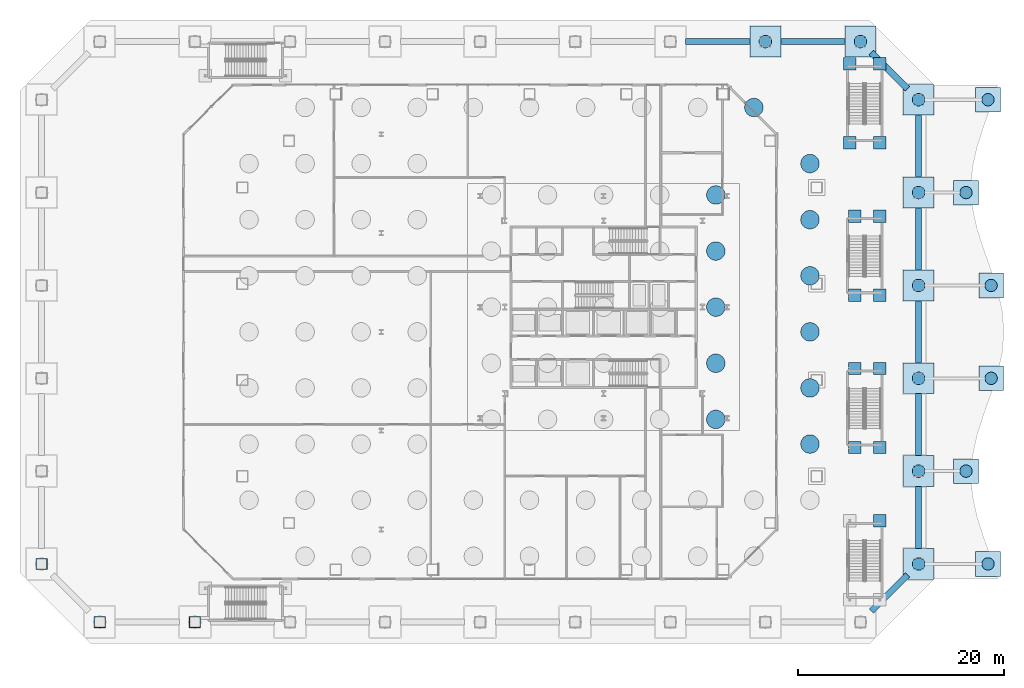
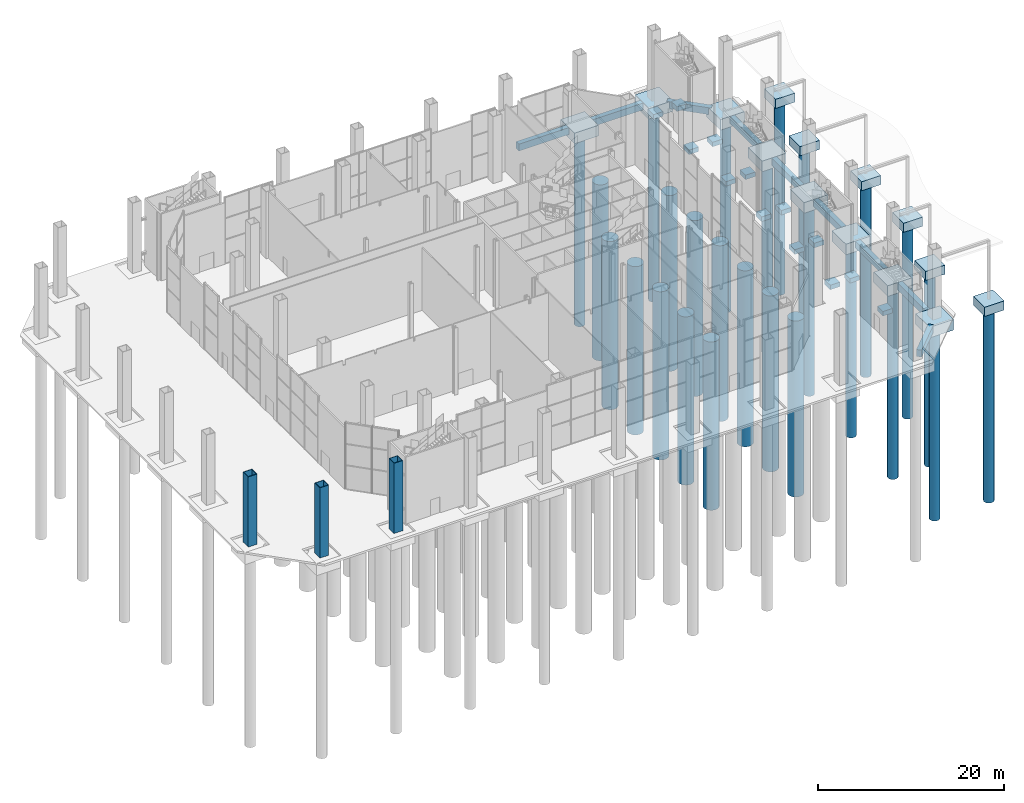
# One storey, part 2 of 38: 36 footings, 26 piles, 3 columns.
"""IFC4 building model written with IfcOpenShell, lengths in metres."""

from ifc_helpers import new_model, si_unit, direction, frame, origin, origin_2d, place, context, subcontext, project, spatial, rectangle, hollow_rectangle, circle, extrude, material, material_profile, profile_set, type_object, element, save


model = new_model("IFC4")

# Units and contexts
model_context = context("Model", 3, precision=1e-05, world=origin(), true_north=direction((0.0, 1.0)))
body_context = subcontext(model_context, "Body", "Model", "MODEL_VIEW")
ifc_project = project(units=[si_unit("LENGTHUNIT", "METRE"), si_unit("AREAUNIT", "SQUARE_METRE"), si_unit("VOLUMEUNIT", "CUBIC_METRE"), si_unit("PLANEANGLEUNIT", "RADIAN"), si_unit("MASSUNIT", "GRAM", prefix="KILO")], contexts=[model_context])

# Site, building, storey
site_placement = place(None, origin())
site = spatial("IfcSite", under=ifc_project, at=site_placement, CompositionType="ELEMENT")
building_placement = place(site_placement, origin())
building = spatial("IfcBuilding", under=site, at=building_placement, Name="Cairn Pilgrim Tower", CompositionType="ELEMENT")
storey_placement = place(building_placement, origin())
storey = spatial("IfcBuildingStorey", under=building, at=storey_placement, Name="L00", CompositionType="ELEMENT", Elevation=0.0)

# Footings
ifc_material_1 = material(Name="Concrete C40/50", Category="concrete")
footing_type_1 = type_object("IfcFootingType", Name="GROUND BEAM 600x900", PredefinedType="FOOTING_BEAM", material=ifc_material_1)
footing_1_placement = place(storey_placement, frame((34.9755859375, -25.375732421875, -1.14990234375), z_axis=(0.0, 0.0, 1.0), x_axis=(0.707106781187, 0.707106781187, 0.0)))
element("IfcFooting", 1, at=footing_1_placement, inside=storey, type_object=footing_type_1, Name="GROUND BEAM GB-SE1", PredefinedType="FOOTING_BEAM", context=body_context, shape_type="SweptSolid", body=[
    extrude(rectangle(XDim=4.98828125, YDim=0.60009765625, at=origin_2d()), origin(), (0.0, 0.0, 1.0), 0.89990234375),
])
for number, where, z_axis, x_axis, name in (
    (2, (37.800048828125, -18.041259765625, -1.14990234375), (0.0, 0.0, 1.0), (0.0, 1.0, 0.0), "GROUND BEAM GB-E1"),
    (3, (37.800048828125, -9.0205078125, -1.14990234375), (0.0, 0.0, 1.0), (0.0, 1.0, 0.0), "GROUND BEAM GB-E2"),
    (4, (37.800048828125, 0.0, -1.14990234375), (0.0, 0.0, 1.0), (0.0, 1.0, 0.0), "GROUND BEAM GB-E3"),
    (5, (37.800048828125, 9.0205078125, -1.14990234375), (0.0, 0.0, 1.0), (0.0, 1.0, 0.0), "GROUND BEAM GB-E4"),
    (6, (37.800048828125, 18.041259765625, -1.14990234375), (0.0, 0.0, 1.0), (0.0, 1.0, 0.0), "GROUND BEAM GB-E5"),
):
    element("IfcFooting", number, at=place(storey_placement, frame(where, z_axis=z_axis, x_axis=x_axis)), inside=storey, type_object=footing_type_1, Name=name, PredefinedType="FOOTING_BEAM", context=body_context, shape_type="SweptSolid", body=[
        extrude(rectangle(XDim=6.0205078125, YDim=0.60009765625, at=origin_2d()), origin(), (0.0, 0.0, 1.0), 0.89990234375),
    ])
footing_2_placement = place(storey_placement, frame((34.9755859375, 25.375732421875, -1.14990234375), z_axis=(0.0, 0.0, 1.0), x_axis=(-0.707106781187, 0.707106781187, 0.0)))
element("IfcFooting", 7, at=footing_2_placement, inside=storey, type_object=footing_type_1, Name="GROUND BEAM GB-NE1", PredefinedType="FOOTING_BEAM", context=body_context, shape_type="SweptSolid", body=[
    extrude(rectangle(XDim=4.98828125, YDim=0.60009765625, at=origin_2d()), origin(), (0.0, 0.0, 1.0), 0.89990234375),
])
for number, where, z_axis, x_axis, name in (
    (8, (27.532470703125, 28.199951171875, -1.14990234375), (0.0, 0.0, 1.0), (-1.0, 0.0, 0.0), "GROUND BEAM GB-N1"),
    (9, (18.294677734375, 28.199951171875, -1.14990234375), (0.0, 0.0, 1.0), (-1.0, 0.0, 0.0), "GROUND BEAM GB-N2"),
):
    element("IfcFooting", number, at=place(storey_placement, frame(where, z_axis=z_axis, x_axis=x_axis)), inside=storey, type_object=footing_type_1, Name=name, PredefinedType="FOOTING_BEAM", context=body_context, shape_type="SweptSolid", body=[
        extrude(rectangle(XDim=6.23779296875, YDim=0.60009765625, at=origin_2d()), origin(), (0.0, 0.0, 1.0), 0.89990234375),
    ])
ifc_material_2 = material(Name="Concrete C45/55", Category="concrete")
footing_type_2 = type_object("IfcFootingType", Name="MARQUISE PILE CAP 2400x2400x1200", PredefinedType="PILE_CAP", material=ifc_material_2)
for number, where, z_axis, x_axis, name in (
    (10, (44.5458984375, -22.551513671875, -1.4501953125), (0.0, 0.0, 1.0), (1.0, 0.0, 0.0), "MARQUISE PILE CAP E1"),
    (11, (42.408935546875, -13.531005859375, -1.4501953125), (0.0, 0.0, 1.0), (1.0, 0.0, 0.0), "MARQUISE PILE CAP E2"),
    (12, (44.84814453125, -4.51025390625, -1.4501953125), (0.0, 0.0, 1.0), (1.0, 0.0, 0.0), "MARQUISE PILE CAP E3"),
    (13, (44.84814453125, 4.51025390625, -1.4501953125), (0.0, 0.0, 1.0), (1.0, 0.0, 0.0), "MARQUISE PILE CAP E4"),
    (14, (42.408935546875, 13.531005859375, -1.4501953125), (0.0, 0.0, 1.0), (1.0, 0.0, 0.0), "MARQUISE PILE CAP E5"),
    (15, (44.5458984375, 22.551513671875, -1.4501953125), (0.0, 0.0, 1.0), (1.0, 0.0, 0.0), "MARQUISE PILE CAP NE1"),
):
    element("IfcFooting", number, at=place(storey_placement, frame(where, z_axis=z_axis, x_axis=x_axis)), inside=storey, type_object=footing_type_2, Name=name, PredefinedType="PILE_CAP", context=body_context, shape_type="SweptSolid", body=[
        extrude(rectangle(XDim=2.39990234375, YDim=2.39990234375, at=origin_2d()), origin(), (0.0, 0.0, 1.0), 1.199951171875),
    ])
footing_type_3 = type_object("IfcFootingType", Name="PAD 1200x1200x600", PredefinedType="PAD_FOOTING", material=ifc_material_1)
for number, where, z_axis, x_axis, name in (
    (16, (34.044921875, -18.360107421875, -0.85009765625), (0.0, 0.0, 1.0), (1.0, 0.0, 0.0), "PAD PAD-ES1-NB"),
    (17, (31.60009765625, -3.56005859375, -0.85009765625), (0.0, 0.0, 1.0), (1.0, 0.0, 0.0), "PAD PAD-ES2-NA"),
    (18, (34.044921875, -3.56005859375, -0.85009765625), (0.0, 0.0, 1.0), (1.0, 0.0, 0.0), "PAD PAD-ES2-NB"),
    (19, (31.60009765625, -11.239990234375, -0.85009765625), (0.0, 0.0, 1.0), (1.0, 0.0, 0.0), "PAD PAD-ES2-SA"),
    (20, (34.044921875, -11.239990234375, -0.85009765625), (0.0, 0.0, 1.0), (1.0, 0.0, 0.0), "PAD PAD-ES2-SB"),
    (21, (31.60009765625, 11.239990234375, -0.85009765625), (0.0, 0.0, 1.0), (1.0, 0.0, 0.0), "PAD PAD-ES3-NA"),
    (22, (34.044921875, 11.239990234375, -0.85009765625), (0.0, 0.0, 1.0), (1.0, 0.0, 0.0), "PAD PAD-ES3-NB"),
    (23, (31.60009765625, 3.56005859375, -0.85009765625), (0.0, 0.0, 1.0), (1.0, 0.0, 0.0), "PAD PAD-ES3-SA"),
    (24, (34.044921875, 3.56005859375, -0.85009765625), (0.0, 0.0, 1.0), (1.0, 0.0, 0.0), "PAD PAD-ES3-SB"),
    (25, (31.10498046875, 26.0400390625, -0.85009765625), (0.0, 0.0, 1.0), (1.0, 0.0, 0.0), "PAD PAD-ES4-NA"),
    (26, (34.044921875, 26.0400390625, -0.85009765625), (0.0, 0.0, 1.0), (1.0, 0.0, 0.0), "PAD PAD-ES4-NB"),
    (27, (31.10498046875, 18.360107421875, -0.85009765625), (0.0, 0.0, 1.0), (1.0, 0.0, 0.0), "PAD PAD-ES4-SA"),
    (28, (34.044921875, 18.360107421875, -0.85009765625), (0.0, 0.0, 1.0), (1.0, 0.0, 0.0), "PAD PAD-ES4-SB"),
):
    element("IfcFooting", number, at=place(storey_placement, frame(where, z_axis=z_axis, x_axis=x_axis)), inside=storey, type_object=footing_type_3, Name=name, PredefinedType="PAD_FOOTING", context=body_context, shape_type="SweptSolid", body=[
        extrude(rectangle(XDim=1.199951171875, YDim=1.199951171875, at=origin_2d()), origin(), (0.0, 0.0, 1.0), 0.60009765625),
    ])

# Piles
ifc_material_3 = material(Name="Concrete C35/45", Category="concrete")
ifc_material_profile_1 = material_profile(ifc_material_3, circle(Radius=0.60009765625, at=origin_2d()), Name="D1200")
ifc_profile_set_1 = profile_set([ifc_material_profile_1], Name="Concrete C35/45")
pile_type_1 = type_object("IfcPileType", Name="PILE BORED D1200", PredefinedType="BORED", material=ifc_profile_set_1)
for number, where, z_axis, x_axis, name in (
    (29, (37.800048828125, -22.551513671875, -1.5), (0.0, 0.0, -1.0), (1.0, 0.0, 0.0), "PILE P2-E1"),
    (30, (37.800048828125, -13.531005859375, -1.5), (0.0, 0.0, -1.0), (1.0, 0.0, 0.0), "PILE P2-E2"),
    (31, (37.800048828125, -4.51025390625, -1.5), (0.0, 0.0, -1.0), (1.0, 0.0, 0.0), "PILE P2-E3"),
    (32, (37.800048828125, 4.51025390625, -1.5), (0.0, 0.0, -1.0), (1.0, 0.0, 0.0), "PILE P2-E4"),
    (33, (37.800048828125, 13.531005859375, -1.5), (0.0, 0.0, -1.0), (1.0, 0.0, 0.0), "PILE P2-E5"),
    (34, (37.800048828125, 22.551513671875, -1.5), (0.0, 0.0, -1.0), (1.0, 0.0, 0.0), "PILE P2-NE1"),
    (35, (32.151611328125, 28.199951171875, -1.5), (0.0, 0.0, -1.0), (1.0, 0.0, 0.0), "PILE P2-N1"),
    (36, (22.91357421875, 28.199951171875, -1.5), (0.0, 0.0, -1.0), (1.0, 0.0, 0.0), "PILE P2-N2"),
):
    element("IfcPile", number, at=place(storey_placement, frame(where, z_axis=z_axis, x_axis=x_axis)), inside=storey, type_object=pile_type_1, Name=name, PredefinedType="BORED", context=body_context, shape_type="SweptSolid", body=[
        extrude(circle(Radius=0.60009765625, at=origin_2d()), origin(), (0.0, 0.0, 1.0), 25.25),
    ])
ifc_material_profile_2 = material_profile(ifc_material_3, circle(Radius=0.60009765625, at=origin_2d()), Name="D1200")
ifc_profile_set_2 = profile_set([ifc_material_profile_2], Name="Concrete C35/45")
pile_type_2 = type_object("IfcPileType", Name="PILE BORED D1200 MARQUISE", PredefinedType="BORED", material=ifc_profile_set_2)
for number, where, z_axis, x_axis, name in (
    (37, (44.5458984375, -22.551513671875, -1.300048828125), (0.0, 0.0, -1.0), (1.0, 0.0, 0.0), "PILE P4-MQ-E1"),
    (38, (42.408935546875, -13.531005859375, -1.300048828125), (0.0, 0.0, -1.0), (1.0, 0.0, 0.0), "PILE P4-MQ-E2"),
    (39, (44.84814453125, -4.51025390625, -1.300048828125), (0.0, 0.0, -1.0), (1.0, 0.0, 0.0), "PILE P4-MQ-E3"),
    (40, (44.84814453125, 4.51025390625, -1.300048828125), (0.0, 0.0, -1.0), (1.0, 0.0, 0.0), "PILE P4-MQ-E4"),
    (41, (42.408935546875, 13.531005859375, -1.300048828125), (0.0, 0.0, -1.0), (1.0, 0.0, 0.0), "PILE P4-MQ-E5"),
    (42, (44.5458984375, 22.551513671875, -1.300048828125), (0.0, 0.0, -1.0), (1.0, 0.0, 0.0), "PILE P4-MQ-NE1"),
):
    element("IfcPile", number, at=place(storey_placement, frame(where, z_axis=z_axis, x_axis=x_axis)), inside=storey, type_object=pile_type_2, Name=name, PredefinedType="BORED", context=body_context, shape_type="SweptSolid", body=[
        extrude(circle(Radius=0.60009765625, at=origin_2d()), origin(), (0.0, 0.0, 1.0), 25.449951171875),
    ])
ifc_material_profile_3 = material_profile(ifc_material_3, circle(Radius=0.89990234375, at=origin_2d()), Name="D1800")
ifc_profile_set_3 = profile_set([ifc_material_profile_3], Name="Concrete C35/45")
pile_type_3 = type_object("IfcPileType", Name="PILE BORED D1800", PredefinedType="BORED", material=ifc_profile_set_3)
for number, where, z_axis, x_axis, name in (
    (43, (27.25, -10.89990234375, -3.60009765625), (0.0, 0.0, -1.0), (1.0, 0.0, 0.0), "PILE P1-025"),
    (44, (27.25, -5.449951171875, -3.60009765625), (0.0, 0.0, -1.0), (1.0, 0.0, 0.0), "PILE P1-030"),
    (45, (27.25, 0.0, -3.60009765625), (0.0, 0.0, -1.0), (1.0, 0.0, 0.0), "PILE P1-035"),
    (46, (27.25, 5.449951171875, -3.60009765625), (0.0, 0.0, -1.0), (1.0, 0.0, 0.0), "PILE P1-040"),
    (47, (27.25, 10.89990234375, -3.60009765625), (0.0, 0.0, -1.0), (1.0, 0.0, 0.0), "PILE P1-045"),
    (48, (27.25, 16.35009765625, -3.60009765625), (0.0, 0.0, -1.0), (1.0, 0.0, 0.0), "PILE P1-050"),
    (49, (21.800048828125, 21.800048828125, -3.60009765625), (0.0, 0.0, -1.0), (1.0, 0.0, 0.0), "PILE P1-059"),
):
    element("IfcPile", number, at=place(storey_placement, frame(where, z_axis=z_axis, x_axis=x_axis)), inside=storey, type_object=pile_type_3, Name=name, PredefinedType="BORED", context=body_context, shape_type="SweptSolid", body=[
        extrude(circle(Radius=0.89990234375, at=origin_2d()), origin(), (0.0, 0.0, 1.0), 23.14990234375),
    ])
ifc_material_profile_4 = material_profile(ifc_material_3, circle(Radius=0.89990234375, at=origin_2d()), Name="D1800")
ifc_profile_set_4 = profile_set([ifc_material_profile_4], Name="Concrete C35/45")
pile_type_4 = type_object("IfcPileType", Name="PILE BORED D1800 CORE", PredefinedType="BORED", material=ifc_profile_set_4)
for number, where, z_axis, x_axis, name in (
    (50, (18.10009765625, -8.5, -4.60009765625), (0.0, 0.0, -1.0), (1.0, 0.0, 0.0), "PILE P3-064"),
    (51, (18.10009765625, -3.050048828125, -4.60009765625), (0.0, 0.0, -1.0), (1.0, 0.0, 0.0), "PILE P3-069"),
    (52, (18.10009765625, 2.39990234375, -4.60009765625), (0.0, 0.0, -1.0), (1.0, 0.0, 0.0), "PILE P3-074"),
    (53, (18.10009765625, 7.85009765625, -4.60009765625), (0.0, 0.0, -1.0), (1.0, 0.0, 0.0), "PILE P3-079"),
    (54, (18.10009765625, 13.300048828125, -4.60009765625), (0.0, 0.0, -1.0), (1.0, 0.0, 0.0), "PILE P3-084"),
):
    element("IfcPile", number, at=place(storey_placement, frame(where, z_axis=z_axis, x_axis=x_axis)), inside=storey, type_object=pile_type_4, Name=name, PredefinedType="BORED", context=body_context, shape_type="SweptSolid", body=[
        extrude(circle(Radius=0.89990234375, at=origin_2d()), origin(), (0.0, 0.0, 1.0), 22.14990234375),
    ])

# Footings
footing_type_4 = type_object("IfcFootingType", Name="PILE CAP 3000x3000x1400", PredefinedType="PILE_CAP", material=ifc_material_2)
for number, where, z_axis, x_axis, name in (
    (55, (37.800048828125, -22.551513671875, -1.64990234375), (0.0, 0.0, 1.0), (1.0, 0.0, 0.0), "PILE CAP PC-E1"),
    (56, (37.800048828125, -13.531005859375, -1.64990234375), (0.0, 0.0, 1.0), (1.0, 0.0, 0.0), "PILE CAP PC-E2"),
    (57, (37.800048828125, -4.51025390625, -1.64990234375), (0.0, 0.0, 1.0), (1.0, 0.0, 0.0), "PILE CAP PC-E3"),
    (58, (37.800048828125, 4.51025390625, -1.64990234375), (0.0, 0.0, 1.0), (1.0, 0.0, 0.0), "PILE CAP PC-E4"),
    (59, (37.800048828125, 13.531005859375, -1.64990234375), (0.0, 0.0, 1.0), (1.0, 0.0, 0.0), "PILE CAP PC-E5"),
    (60, (37.800048828125, 22.551513671875, -1.64990234375), (0.0, 0.0, 1.0), (1.0, 0.0, 0.0), "PILE CAP PC-NE1"),
    (61, (32.151611328125, 28.199951171875, -1.64990234375), (0.0, 0.0, 1.0), (1.0, 0.0, 0.0), "PILE CAP PC-N1"),
    (62, (22.91357421875, 28.199951171875, -1.64990234375), (0.0, 0.0, 1.0), (1.0, 0.0, 0.0), "PILE CAP PC-N2"),
):
    element("IfcFooting", number, at=place(storey_placement, frame(where, z_axis=z_axis, x_axis=x_axis)), inside=storey, type_object=footing_type_4, Name=name, PredefinedType="PILE_CAP", context=body_context, shape_type="SweptSolid", body=[
        extrude(rectangle(XDim=3.0, YDim=3.0, at=origin_2d()), origin(), (0.0, 0.0, 1.0), 1.39990234375),
    ])

# Columns
ifc_material_4 = material(Name="Structural steel S460M", Category="steel")
ifc_material_profile_5 = material_profile(ifc_material_4, hollow_rectangle(XDim=1.10009765625, YDim=1.10009765625, WallThickness=0.06005859375, at=origin_2d()), Name="BOX 1100x1100x60")
ifc_profile_set_5 = profile_set([ifc_material_profile_5], Name="Structural steel S460M")
column_type = type_object("IfcColumnType", Name="PILOTIS CFT 1100", PredefinedType="COLUMN", material=ifc_profile_set_5)
for number, where, z_axis, x_axis, name in (
    (63, (-41.75146484375, -28.199951171875, -0.25), (0.0, 0.0, 1.0), (1.0, 0.0, 0.0), "PILOTIS PL-S1"),
    (64, (-32.513671875, -28.199951171875, -0.25), (0.0, 0.0, 1.0), (1.0, 0.0, 0.0), "PILOTIS PL-S2"),
    (65, (-47.39990234375, -22.551513671875, -0.25), (0.0, 0.0, 1.0), (1.0, 0.0, 0.0), "PILOTIS PL-SW1"),
):
    element("IfcColumn", number, at=place(storey_placement, frame(where, z_axis=z_axis, x_axis=x_axis)), inside=storey, type_object=column_type, Name=name, PredefinedType="COLUMN", context=body_context, shape_type="SweptSolid", body=[
        extrude(hollow_rectangle(XDim=1.10009765625, YDim=1.10009765625, WallThickness=0.06005859375, at=origin_2d()), origin(), (0.0, 0.0, 1.0), 9.25),
    ])

save(model, "model.ifc")
